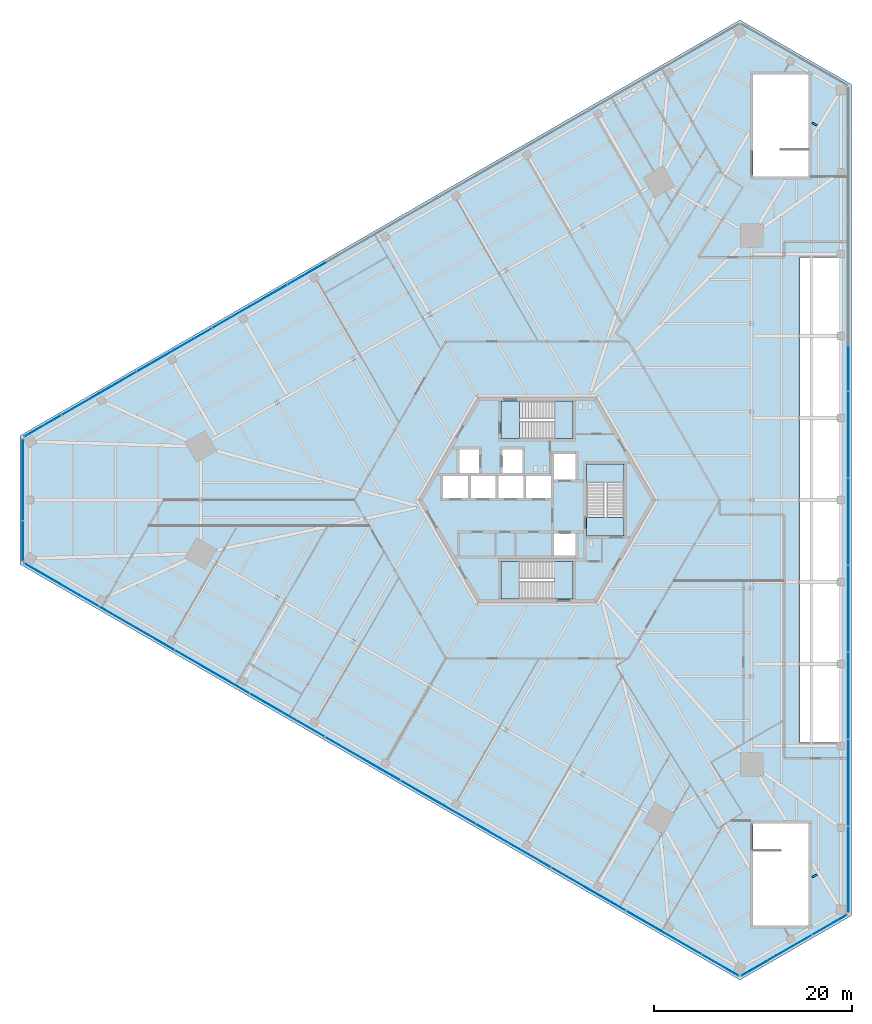
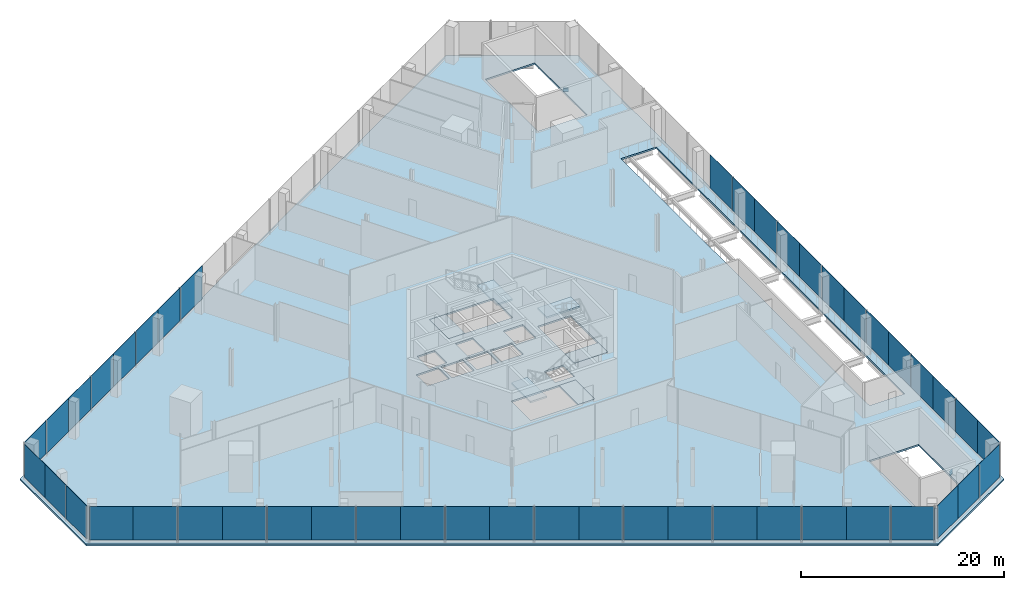
# One storey, part 16 of 25: 46 plates, 7 slabs, 2 beams, 8 elements without a shape of their own.
"""IFC4 building model written with IfcOpenShell, lengths in metres."""

from ifc_helpers import new_model, si_unit, direction, frame, origin, origin_2d, place, context, subcontext, project, spatial, polyline, rectangle, i_section, outline, extrude, source, transform, mapped, material, layer, layer_set, material_profile, profile_set, type_object, element, aggregate, save


model = new_model("IFC4")

# Units and contexts
model_context = context("Model", 3, precision=1e-05, world=origin(), true_north=direction((0.0, 1.0)))
body_context = subcontext(model_context, "Body", "Model", "MODEL_VIEW")
ifc_project = project(units=[si_unit("LENGTHUNIT", "METRE"), si_unit("AREAUNIT", "SQUARE_METRE"), si_unit("VOLUMEUNIT", "CUBIC_METRE"), si_unit("PLANEANGLEUNIT", "RADIAN"), si_unit("MASSUNIT", "GRAM", prefix="KILO")], contexts=[model_context])

# Site, building, storey
site_placement = place(None, origin())
site = spatial("IfcSite", under=ifc_project, at=site_placement, CompositionType="ELEMENT")
building_placement = place(site_placement, origin())
building = spatial("IfcBuilding", under=site, at=building_placement, Name="Triune Harvest Tower", CompositionType="ELEMENT")
storey_placement = place(building_placement, frame((0.0, 0.0, 11.5)))
storey = spatial("IfcBuildingStorey", under=building, at=storey_placement, Name="L02", CompositionType="ELEMENT", Elevation=11.5)

# Beams
ifc_material_1 = material(Name="Steel ASTM A992 Gr 50", Category="steel")
ifc_material_profile = material_profile(ifc_material_1, i_section(OverallWidth=0.180908203125, OverallDepth=0.41650390625, WebThickness=0.010986328125, FlangeThickness=0.01806640625, at=origin_2d()), Name="W16x57")
ifc_profile_set = profile_set([ifc_material_profile], Name="Steel ASTM A992 Gr 50")
beam_type = type_object("IfcBeamType", Name="PD-6 Podium short joist W16x57", PredefinedType="JOIST", material=ifc_profile_set)
shared_shape_1 = source(origin(), body_context, "Body", "SweptSolid", [
    extrude(i_section(OverallWidth=0.180908203125, OverallDepth=0.41650390625, WebThickness=0.010986328125, FlangeThickness=0.01806640625, at=origin_2d()), origin(), (0.0, 0.0, 1.0), 0.55908203125),
])
for number, where, z_axis, x_axis, name in (
    (1, (28.291015625, 37.827880859375, -0.408203125), (-0.866003766563, 0.500037474894, 0.0), (-0.500037474894, -0.866003766563, 0.0), "beam/L02/PJ23"),
    (2, (27.806884765625, -38.107421875, -0.408203125), (0.866003766563, 0.500037474894, 0.0), (-0.500037474894, 0.866003766563, 0.0), "beam/L02/PJ81"),
):
    element("IfcBeam", number, at=place(storey_placement, frame(where, z_axis=z_axis, x_axis=x_axis)), inside=storey, type_object=beam_type, Name=name, PredefinedType="JOIST", context=body_context, shape_type="MappedRepresentation", body=[
        mapped(shared_shape_1, transform((0.0, 0.0, 0.0), scale=1.0)),
    ])

# Slab
ifc_material_2 = material(Name="Concrete 40 MPa", Category="concrete")
ifc_layer_1 = layer(ifc_material_2, 0.199951171875)
ifc_layer_set_1 = layer_set([ifc_layer_1], Name="Concrete 40 MPa")
slab_type_1 = type_object("IfcSlabType", Name="SL-3 Composite floor slab 200", PredefinedType="FLOOR", material=ifc_layer_set_1)
shared_shape_2 = source(origin(), body_context, "Body", "SweptSolid", [
    extrude(outline(polyline([(31.75439453125, -42.0), (31.75439453125, 42.0), (20.495849609375, 48.5), (-52.250244140625, 6.5), (-52.250244140625, -6.5), (20.495849609375, -48.5), (31.75439453125, -42.0)]), holes=[polyline([(-7.0, 0.2099609375), (-7.0, 2.409912109375), (-9.5, 2.409912109375), (-9.5, 0.2099609375), (-7.0, 0.2099609375)]), polyline([(-4.199951171875, 0.2099609375), (-4.199951171875, 2.409912109375), (-6.699951171875, 2.409912109375), (-6.699951171875, 0.2099609375), (-4.199951171875, 0.2099609375)]), polyline([(-1.39990234375, 0.2099609375), (-1.39990234375, 2.409912109375), (-3.89990234375, 2.409912109375), (-3.89990234375, 0.2099609375), (-1.39990234375, 0.2099609375)]), polyline([(1.39990234375, 0.2099609375), (1.39990234375, 2.409912109375), (-1.10009765625, 2.409912109375), (-1.10009765625, 0.2099609375), (1.39990234375, 0.2099609375)]), polyline([(3.89990234375, 2.06005859375), (3.89990234375, 4.659912109375), (1.699951171875, 4.659912109375), (1.699951171875, 2.06005859375), (3.89990234375, 2.06005859375)]), polyline([(3.89990234375, -5.590087890625), (3.89990234375, -3.389892578125), (1.699951171875, -3.389892578125), (1.699951171875, -5.590087890625), (3.89990234375, -5.590087890625)]), polyline([(-5.85009765625, 2.7099609375), (-5.85009765625, 5.110107421875), (-7.85009765625, 5.110107421875), (-7.85009765625, 2.7099609375), (-5.85009765625, 2.7099609375)]), polyline([(-1.5, 2.7099609375), (-1.5, 5.110107421875), (-3.5, 5.110107421875), (-3.5, 2.7099609375), (-1.5, 2.7099609375)]), polyline([(3.64990234375, 6.18994140625), (3.64990234375, 9.989990234375), (-3.64990234375, 9.989990234375), (-3.64990234375, 6.18994140625), (3.64990234375, 6.18994140625)]), polyline([(3.64990234375, -9.989990234375), (3.64990234375, -6.18994140625), (-3.64990234375, -6.18994140625), (-3.64990234375, -9.989990234375), (3.64990234375, -9.989990234375)]), polyline([(8.800048828125, -3.64990234375), (8.800048828125, 3.64990234375), (5.0, 3.64990234375), (5.0, -3.64990234375), (8.800048828125, -3.64990234375)]), polyline([(27.419921875, 32.699951171875), (27.419921875, 43.0), (21.820068359375, 43.0), (21.820068359375, 32.699951171875), (27.419921875, 32.699951171875)]), polyline([(27.419921875, -43.0), (27.419921875, -32.699951171875), (21.820068359375, -32.699951171875), (21.820068359375, -43.0), (27.419921875, -43.0)]), polyline([(26.55419921875, -24.5), (30.55419921875, -24.5), (30.55419921875, 24.5), (26.55419921875, 24.5), (26.55419921875, -24.5)])]), origin(), (0.0, 0.0, 1.0), 0.199951171875),
])
slab_1_placement = place(storey_placement, frame((0.0, 0.0, -0.199951171875)))
element("IfcSlab", 3, at=slab_1_placement, inside=storey, type_object=slab_type_1, Name="slab/L02/1", PredefinedType="FLOOR", context=body_context, shape_type="MappedRepresentation", body=[
    mapped(shared_shape_2, transform((0.0, 0.0, 0.0), scale=1.0)),
])

# Stair, slabs
ifc_material_3 = material(Name="Concrete 40 MPa", Category="concrete")
stair_type = type_object("IfcStairType", Name="Exit stair 1800 half turn", PredefinedType="HALF_TURN_STAIR", material=ifc_material_3)
stair_1_placement = place(storey_placement, origin())
stair_1 = element("IfcStair", 4, at=stair_1_placement, inside=storey, type_object=stair_type, Name="Exit stair north", PredefinedType="HALF_TURN_STAIR")
ifc_material_4 = material(Name="Concrete 40 MPa", Category="concrete")
ifc_layer_2 = layer(ifc_material_4, 0.199951171875)
ifc_layer_set_2 = layer_set([ifc_layer_2], Name="Concrete 40 MPa")
slab_type_2 = type_object("IfcSlabType", Name="Stair landing 200", PredefinedType="LANDING", material=ifc_layer_set_2)
shared_shape_3 = source(origin(), body_context, "Body", "SweptSolid", [
    extrude(outline(polyline([(-3.64990234375, 6.18994140625), (-1.780029296875, 6.18994140625), (-1.780029296875, 9.989990234375), (-3.64990234375, 9.989990234375), (-3.64990234375, 6.18994140625)])), origin(), (0.0, 0.0, 1.0), 0.199951171875),
])
slab_2_placement = place(storey_placement, frame((0.0, 0.0, -0.199951171875)))
slab_2 = element("IfcSlab", 5, at=slab_2_placement, type_object=slab_type_2, Name="ST-1 landing 1", PredefinedType="LANDING", context=body_context, shape_type="MappedRepresentation", body=[
    mapped(shared_shape_3, transform((0.0, 0.0, 0.0), scale=1.0)),
])
shared_shape_4 = source(origin(), body_context, "Body", "SweptSolid", [
    extrude(outline(polyline([(1.81005859375, 6.18994140625), (3.64990234375, 6.18994140625), (3.64990234375, 9.989990234375), (1.81005859375, 9.989990234375), (1.81005859375, 6.18994140625)])), origin(), (0.0, 0.0, 1.0), 0.199951171875),
])
slab_3_placement = place(storey_placement, frame((0.0, 0.0, 2.050048828125)))
slab_3 = element("IfcSlab", 6, at=slab_3_placement, type_object=slab_type_2, Name="ST-1 landing 2", PredefinedType="LANDING", context=body_context, shape_type="MappedRepresentation", body=[
    mapped(shared_shape_4, transform((0.0, 0.0, 0.0), scale=1.0)),
])
aggregate(stair_1, [slab_2, slab_3])

stair_2_placement = place(storey_placement, origin())
stair_2 = element("IfcStair", 7, at=stair_2_placement, inside=storey, type_object=stair_type, Name="Exit stair south", PredefinedType="HALF_TURN_STAIR")
shared_shape_5 = source(origin(), body_context, "Body", "SweptSolid", [
    extrude(outline(polyline([(3.64990234375, -6.18994140625), (1.780029296875, -6.18994140625), (1.780029296875, -9.989990234375), (3.64990234375, -9.989990234375), (3.64990234375, -6.18994140625)])), origin(), (0.0, 0.0, 1.0), 0.199951171875),
])
slab_4_placement = place(storey_placement, frame((0.0, 0.0, -0.199951171875)))
slab_4 = element("IfcSlab", 8, at=slab_4_placement, type_object=slab_type_2, Name="ST-2 landing 1", PredefinedType="LANDING", context=body_context, shape_type="MappedRepresentation", body=[
    mapped(shared_shape_5, transform((0.0, 0.0, 0.0), scale=1.0)),
])
shared_shape_6 = source(origin(), body_context, "Body", "SweptSolid", [
    extrude(outline(polyline([(-1.81005859375, -6.18994140625), (-3.64990234375, -6.18994140625), (-3.64990234375, -9.989990234375), (-1.81005859375, -9.989990234375), (-1.81005859375, -6.18994140625)])), origin(), (0.0, 0.0, 1.0), 0.199951171875),
])
slab_5_placement = place(storey_placement, frame((0.0, 0.0, 2.050048828125)))
slab_5 = element("IfcSlab", 9, at=slab_5_placement, type_object=slab_type_2, Name="ST-2 landing 2", PredefinedType="LANDING", context=body_context, shape_type="MappedRepresentation", body=[
    mapped(shared_shape_6, transform((0.0, 0.0, 0.0), scale=1.0)),
])
aggregate(stair_2, [slab_4, slab_5])

stair_3_placement = place(storey_placement, origin())
stair_3 = element("IfcStair", 10, at=stair_3_placement, inside=storey, type_object=stair_type, Name="Exit stair east", PredefinedType="HALF_TURN_STAIR")
shared_shape_7 = source(origin(), body_context, "Body", "SweptSolid", [
    extrude(outline(polyline([(8.800048828125, -3.64990234375), (8.800048828125, -1.780029296875), (5.0, -1.780029296875), (5.0, -3.64990234375), (8.800048828125, -3.64990234375)])), origin(), (0.0, 0.0, 1.0), 0.199951171875),
])
slab_6_placement = place(storey_placement, frame((0.0, 0.0, -0.199951171875)))
slab_6 = element("IfcSlab", 11, at=slab_6_placement, type_object=slab_type_2, Name="ST-3 landing 1", PredefinedType="LANDING", context=body_context, shape_type="MappedRepresentation", body=[
    mapped(shared_shape_7, transform((0.0, 0.0, 0.0), scale=1.0)),
])
shared_shape_8 = source(origin(), body_context, "Body", "SweptSolid", [
    extrude(outline(polyline([(8.800048828125, 1.81005859375), (8.800048828125, 3.64990234375), (5.0, 3.64990234375), (5.0, 1.81005859375), (8.800048828125, 1.81005859375)])), origin(), (0.0, 0.0, 1.0), 0.199951171875),
])
slab_7_placement = place(storey_placement, frame((0.0, 0.0, 2.050048828125)))
slab_7 = element("IfcSlab", 12, at=slab_7_placement, type_object=slab_type_2, Name="ST-3 landing 2", PredefinedType="LANDING", context=body_context, shape_type="MappedRepresentation", body=[
    mapped(shared_shape_8, transform((0.0, 0.0, 0.0), scale=1.0)),
])
aggregate(stair_3, [slab_6, slab_7])

# Curtain wall, plate
ifc_material_5 = material(Name="Aluminium bronze anodised", Category="aluminium")
curtain_wall_type = type_object("IfcCurtainWallType", Name="CW-2 Podium shopfront wall", PredefinedType="NOTDEFINED", material=ifc_material_5)
curtain_wall_1_placement = place(storey_placement, origin())
curtain_wall_1 = element("IfcCurtainWall", 13, at=curtain_wall_1_placement, inside=storey, type_object=curtain_wall_type, Name="CW-2 PD-F1 L02 run 1")
ifc_material_6 = material(Name="Glass", Category="glass")
ifc_layer_3 = layer(ifc_material_6, 0.0400390625)
ifc_layer_set_3 = layer_set([ifc_layer_3], Name="Glass")
plate_type = type_object("IfcPlateType", Name="GL-2 panel 40", PredefinedType="CURTAIN_PANEL", material=ifc_layer_set_3)
shared_shape_9 = source(origin(), body_context, "Body", "SweptSolid", [
    extrude(rectangle(XDim=4.303466796875, YDim=0.0400390625, at=origin_2d()), origin(), (0.0, 0.0, 1.0), 4.0),
])
plate_1_placement = place(storey_placement, frame((31.454345703125, -39.4951171875, 0.300048828125), z_axis=(0.0, 0.0, 1.0), x_axis=(0.0, 1.0, 0.0)))
plate_1 = element("IfcPlate", 14, at=plate_1_placement, type_object=plate_type, Name="CW-2 panel PD-F1 1.1", PredefinedType="CURTAIN_PANEL", context=body_context, shape_type="MappedRepresentation", body=[
    mapped(shared_shape_9, transform((0.0, 0.0, 0.0), scale=1.0)),
])

curtain_wall_2_placement = place(storey_placement, origin())
curtain_wall_2 = element("IfcCurtainWall", 15, at=curtain_wall_2_placement, inside=storey, type_object=curtain_wall_type, Name="CW-2 PD-F5 L02 run 1")
plate_2_placement = place(storey_placement, frame((-49.930908203125, -7.49267578125, 0.300048828125), z_axis=(0.0, 0.0, 1.0), x_axis=(0.866025276122, -0.500000221117, 0.0)))
plate_2 = element("IfcPlate", 16, at=plate_2_placement, type_object=plate_type, Name="CW-2 panel PD-F5 1.1", PredefinedType="CURTAIN_PANEL", context=body_context, shape_type="MappedRepresentation", body=[
    mapped(shared_shape_9, transform((0.0, 0.0, 0.0), scale=1.0)),
])

# Plate
shared_shape_10 = source(origin(), body_context, "Body", "SweptSolid", [
    extrude(rectangle(XDim=4.348388671875, YDim=0.0400390625, at=origin_2d()), origin(), (0.0, 0.0, 1.0), 4.0),
])
plate_3_placement = place(storey_placement, frame((31.454345703125, -35.169189453125, 0.300048828125), z_axis=(0.0, 0.0, 1.0), x_axis=(0.0, 1.0, 0.0)))
plate_3 = element("IfcPlate", 17, at=plate_3_placement, type_object=plate_type, Name="CW-2 panel PD-F1 1.2", PredefinedType="CURTAIN_PANEL", context=body_context, shape_type="MappedRepresentation", body=[
    mapped(shared_shape_10, transform((0.0, 0.0, 0.0), scale=1.0)),
])

plate_4_placement = place(storey_placement, frame((31.454345703125, -30.73095703125, 0.300048828125), z_axis=(0.0, 0.0, 1.0), x_axis=(0.0, 1.0, 0.0)))
plate_4 = element("IfcPlate", 18, at=plate_4_placement, type_object=plate_type, Name="CW-2 panel PD-F1 1.3", PredefinedType="CURTAIN_PANEL", context=body_context, shape_type="MappedRepresentation", body=[
    mapped(shared_shape_10, transform((0.0, 0.0, 0.0), scale=1.0)),
])

plate_5_placement = place(storey_placement, frame((31.454345703125, -26.382568359375, 0.300048828125), z_axis=(0.0, 0.0, 1.0), x_axis=(0.0, 1.0, 0.0)))
plate_5 = element("IfcPlate", 19, at=plate_5_placement, type_object=plate_type, Name="CW-2 panel PD-F1 1.4", PredefinedType="CURTAIN_PANEL", context=body_context, shape_type="MappedRepresentation", body=[
    mapped(shared_shape_10, transform((0.0, 0.0, 0.0), scale=1.0)),
])

plate_6_placement = place(storey_placement, frame((31.454345703125, -21.9443359375, 0.300048828125), z_axis=(0.0, 0.0, 1.0), x_axis=(0.0, 1.0, 0.0)))
plate_6 = element("IfcPlate", 20, at=plate_6_placement, type_object=plate_type, Name="CW-2 panel PD-F1 1.5", PredefinedType="CURTAIN_PANEL", context=body_context, shape_type="MappedRepresentation", body=[
    mapped(shared_shape_10, transform((0.0, 0.0, 0.0), scale=1.0)),
])

plate_7_placement = place(storey_placement, frame((31.454345703125, -17.595947265625, 0.300048828125), z_axis=(0.0, 0.0, 1.0), x_axis=(0.0, 1.0, 0.0)))
plate_7 = element("IfcPlate", 21, at=plate_7_placement, type_object=plate_type, Name="CW-2 panel PD-F1 1.6", PredefinedType="CURTAIN_PANEL", context=body_context, shape_type="MappedRepresentation", body=[
    mapped(shared_shape_10, transform((0.0, 0.0, 0.0), scale=1.0)),
])

plate_8_placement = place(storey_placement, frame((31.454345703125, -13.157470703125, 0.300048828125), z_axis=(0.0, 0.0, 1.0), x_axis=(0.0, 1.0, 0.0)))
plate_8 = element("IfcPlate", 22, at=plate_8_placement, type_object=plate_type, Name="CW-2 panel PD-F1 1.7", PredefinedType="CURTAIN_PANEL", context=body_context, shape_type="MappedRepresentation", body=[
    mapped(shared_shape_10, transform((0.0, 0.0, 0.0), scale=1.0)),
])

plate_9_placement = place(storey_placement, frame((31.454345703125, -8.80908203125, 0.300048828125), z_axis=(0.0, 0.0, 1.0), x_axis=(0.0, 1.0, 0.0)))
plate_9 = element("IfcPlate", 23, at=plate_9_placement, type_object=plate_type, Name="CW-2 panel PD-F1 1.8", PredefinedType="CURTAIN_PANEL", context=body_context, shape_type="MappedRepresentation", body=[
    mapped(shared_shape_10, transform((0.0, 0.0, 0.0), scale=1.0)),
])

plate_10_placement = place(storey_placement, frame((31.454345703125, -4.370849609375, 0.300048828125), z_axis=(0.0, 0.0, 1.0), x_axis=(0.0, 1.0, 0.0)))
plate_10 = element("IfcPlate", 24, at=plate_10_placement, type_object=plate_type, Name="CW-2 panel PD-F1 1.9", PredefinedType="CURTAIN_PANEL", context=body_context, shape_type="MappedRepresentation", body=[
    mapped(shared_shape_10, transform((0.0, 0.0, 0.0), scale=1.0)),
])

plate_11_placement = place(storey_placement, frame((31.454345703125, -0.0224609375, 0.300048828125), z_axis=(0.0, 0.0, 1.0), x_axis=(0.0, 1.0, 0.0)))
plate_11 = element("IfcPlate", 25, at=plate_11_placement, type_object=plate_type, Name="CW-2 panel PD-F1 1.10", PredefinedType="CURTAIN_PANEL", context=body_context, shape_type="MappedRepresentation", body=[
    mapped(shared_shape_10, transform((0.0, 0.0, 0.0), scale=1.0)),
])

plate_12_placement = place(storey_placement, frame((31.454345703125, 4.415771484375, 0.300048828125), z_axis=(0.0, 0.0, 1.0), x_axis=(0.0, 1.0, 0.0)))
plate_12 = element("IfcPlate", 26, at=plate_12_placement, type_object=plate_type, Name="CW-2 panel PD-F1 1.11", PredefinedType="CURTAIN_PANEL", context=body_context, shape_type="MappedRepresentation", body=[
    mapped(shared_shape_10, transform((0.0, 0.0, 0.0), scale=1.0)),
])

plate_13_placement = place(storey_placement, frame((31.454345703125, 8.76416015625, 0.300048828125), z_axis=(0.0, 0.0, 1.0), x_axis=(0.0, 1.0, 0.0)))
plate_13 = element("IfcPlate", 27, at=plate_13_placement, type_object=plate_type, Name="CW-2 panel PD-F1 1.12", PredefinedType="CURTAIN_PANEL", context=body_context, shape_type="MappedRepresentation", body=[
    mapped(shared_shape_10, transform((0.0, 0.0, 0.0), scale=1.0)),
])

plate_14_placement = place(storey_placement, frame((31.454345703125, 13.20263671875, 0.300048828125), z_axis=(0.0, 0.0, 1.0), x_axis=(0.0, 1.0, 0.0)))
plate_14 = element("IfcPlate", 28, at=plate_14_placement, type_object=plate_type, Name="CW-2 panel PD-F1 1.13", PredefinedType="CURTAIN_PANEL", context=body_context, shape_type="MappedRepresentation", body=[
    mapped(shared_shape_10, transform((0.0, 0.0, 0.0), scale=1.0)),
])

aggregate(curtain_wall_1, [plate_1, plate_3, plate_4, plate_5, plate_6, plate_7, plate_8, plate_9, plate_10, plate_11, plate_12, plate_13, plate_14])

# Curtain wall, plates
curtain_wall_3_placement = place(storey_placement, origin())
curtain_wall_3 = element("IfcCurtainWall", 29, at=curtain_wall_3_placement, inside=storey, type_object=curtain_wall_type, Name="CW-2 PD-F3 L02 run 1")
plate_15_placement = place(storey_placement, frame((-23.317138671875, 22.858154296875, 0.300048828125), z_axis=(0.0, 0.0, 1.0), x_axis=(-0.866025276122, -0.500000221117, 0.0)))
plate_15 = element("IfcPlate", 30, at=plate_15_placement, type_object=plate_type, Name="CW-2 panel PD-F3 1.12", PredefinedType="CURTAIN_PANEL", context=body_context, shape_type="MappedRepresentation", body=[
    mapped(shared_shape_10, transform((0.0, 0.0, 0.0), scale=1.0)),
])
plate_16_placement = place(storey_placement, frame((-27.160888671875, 20.638916015625, 0.300048828125), z_axis=(0.0, 0.0, 1.0), x_axis=(-0.866025276122, -0.500000221117, 0.0)))
plate_16 = element("IfcPlate", 31, at=plate_16_placement, type_object=plate_type, Name="CW-2 panel PD-F3 1.13", PredefinedType="CURTAIN_PANEL", context=body_context, shape_type="MappedRepresentation", body=[
    mapped(shared_shape_10, transform((0.0, 0.0, 0.0), scale=1.0)),
])
plate_17_placement = place(storey_placement, frame((-30.9267578125, 18.46484375, 0.300048828125), z_axis=(0.0, 0.0, 1.0), x_axis=(-0.866025276122, -0.500000221117, 0.0)))
plate_17 = element("IfcPlate", 32, at=plate_17_placement, type_object=plate_type, Name="CW-2 panel PD-F3 1.14", PredefinedType="CURTAIN_PANEL", context=body_context, shape_type="MappedRepresentation", body=[
    mapped(shared_shape_10, transform((0.0, 0.0, 0.0), scale=1.0)),
])
plate_18_placement = place(storey_placement, frame((-34.770263671875, 16.24560546875, 0.300048828125), z_axis=(0.0, 0.0, 1.0), x_axis=(-0.866025276122, -0.500000221117, 0.0)))
plate_18 = element("IfcPlate", 33, at=plate_18_placement, type_object=plate_type, Name="CW-2 panel PD-F3 1.15", PredefinedType="CURTAIN_PANEL", context=body_context, shape_type="MappedRepresentation", body=[
    mapped(shared_shape_10, transform((0.0, 0.0, 0.0), scale=1.0)),
])
plate_19_placement = place(storey_placement, frame((-38.5361328125, 14.0712890625, 0.300048828125), z_axis=(0.0, 0.0, 1.0), x_axis=(-0.866025276122, -0.500000221117, 0.0)))
plate_19 = element("IfcPlate", 34, at=plate_19_placement, type_object=plate_type, Name="CW-2 panel PD-F3 1.16", PredefinedType="CURTAIN_PANEL", context=body_context, shape_type="MappedRepresentation", body=[
    mapped(shared_shape_10, transform((0.0, 0.0, 0.0), scale=1.0)),
])
plate_20_placement = place(storey_placement, frame((-42.3798828125, 11.852294921875, 0.300048828125), z_axis=(0.0, 0.0, 1.0), x_axis=(-0.866025276122, -0.500000221117, 0.0)))
plate_20 = element("IfcPlate", 35, at=plate_20_placement, type_object=plate_type, Name="CW-2 panel PD-F3 1.17", PredefinedType="CURTAIN_PANEL", context=body_context, shape_type="MappedRepresentation", body=[
    mapped(shared_shape_10, transform((0.0, 0.0, 0.0), scale=1.0)),
])
plate_21_placement = place(storey_placement, frame((-46.145751953125, 9.677978515625, 0.300048828125), z_axis=(0.0, 0.0, 1.0), x_axis=(-0.866025276122, -0.500000221117, 0.0)))
plate_21 = element("IfcPlate", 36, at=plate_21_placement, type_object=plate_type, Name="CW-2 panel PD-F3 1.18", PredefinedType="CURTAIN_PANEL", context=body_context, shape_type="MappedRepresentation", body=[
    mapped(shared_shape_10, transform((0.0, 0.0, 0.0), scale=1.0)),
])

# Plate
plate_22_placement = place(storey_placement, frame((-46.1845703125, -9.655517578125, 0.300048828125), z_axis=(0.0, 0.0, 1.0), x_axis=(0.866025276122, -0.500000221117, 0.0)))
plate_22 = element("IfcPlate", 37, at=plate_22_placement, type_object=plate_type, Name="CW-2 panel PD-F5 1.2", PredefinedType="CURTAIN_PANEL", context=body_context, shape_type="MappedRepresentation", body=[
    mapped(shared_shape_10, transform((0.0, 0.0, 0.0), scale=1.0)),
])

plate_23_placement = place(storey_placement, frame((-42.3408203125, -11.874755859375, 0.300048828125), z_axis=(0.0, 0.0, 1.0), x_axis=(0.866025276122, -0.500000221117, 0.0)))
plate_23 = element("IfcPlate", 38, at=plate_23_placement, type_object=plate_type, Name="CW-2 panel PD-F5 1.3", PredefinedType="CURTAIN_PANEL", context=body_context, shape_type="MappedRepresentation", body=[
    mapped(shared_shape_10, transform((0.0, 0.0, 0.0), scale=1.0)),
])

plate_24_placement = place(storey_placement, frame((-38.5751953125, -14.048828125, 0.300048828125), z_axis=(0.0, 0.0, 1.0), x_axis=(0.866025276122, -0.500000221117, 0.0)))
plate_24 = element("IfcPlate", 39, at=plate_24_placement, type_object=plate_type, Name="CW-2 panel PD-F5 1.4", PredefinedType="CURTAIN_PANEL", context=body_context, shape_type="MappedRepresentation", body=[
    mapped(shared_shape_10, transform((0.0, 0.0, 0.0), scale=1.0)),
])

plate_25_placement = place(storey_placement, frame((-34.7314453125, -16.26806640625, 0.300048828125), z_axis=(0.0, 0.0, 1.0), x_axis=(0.866025276122, -0.500000221117, 0.0)))
plate_25 = element("IfcPlate", 40, at=plate_25_placement, type_object=plate_type, Name="CW-2 panel PD-F5 1.5", PredefinedType="CURTAIN_PANEL", context=body_context, shape_type="MappedRepresentation", body=[
    mapped(shared_shape_10, transform((0.0, 0.0, 0.0), scale=1.0)),
])

plate_26_placement = place(storey_placement, frame((-30.965576171875, -18.442138671875, 0.300048828125), z_axis=(0.0, 0.0, 1.0), x_axis=(0.866025276122, -0.500000221117, 0.0)))
plate_26 = element("IfcPlate", 41, at=plate_26_placement, type_object=plate_type, Name="CW-2 panel PD-F5 1.6", PredefinedType="CURTAIN_PANEL", context=body_context, shape_type="MappedRepresentation", body=[
    mapped(shared_shape_10, transform((0.0, 0.0, 0.0), scale=1.0)),
])

plate_27_placement = place(storey_placement, frame((-27.121826171875, -20.661376953125, 0.300048828125), z_axis=(0.0, 0.0, 1.0), x_axis=(0.866025276122, -0.500000221117, 0.0)))
plate_27 = element("IfcPlate", 42, at=plate_27_placement, type_object=plate_type, Name="CW-2 panel PD-F5 1.7", PredefinedType="CURTAIN_PANEL", context=body_context, shape_type="MappedRepresentation", body=[
    mapped(shared_shape_10, transform((0.0, 0.0, 0.0), scale=1.0)),
])

plate_28_placement = place(storey_placement, frame((-23.356201171875, -22.835693359375, 0.300048828125), z_axis=(0.0, 0.0, 1.0), x_axis=(0.866025276122, -0.500000221117, 0.0)))
plate_28 = element("IfcPlate", 43, at=plate_28_placement, type_object=plate_type, Name="CW-2 panel PD-F5 1.8", PredefinedType="CURTAIN_PANEL", context=body_context, shape_type="MappedRepresentation", body=[
    mapped(shared_shape_10, transform((0.0, 0.0, 0.0), scale=1.0)),
])

plate_29_placement = place(storey_placement, frame((-19.512451171875, -25.0546875, 0.300048828125), z_axis=(0.0, 0.0, 1.0), x_axis=(0.866025276122, -0.500000221117, 0.0)))
plate_29 = element("IfcPlate", 44, at=plate_29_placement, type_object=plate_type, Name="CW-2 panel PD-F5 1.9", PredefinedType="CURTAIN_PANEL", context=body_context, shape_type="MappedRepresentation", body=[
    mapped(shared_shape_10, transform((0.0, 0.0, 0.0), scale=1.0)),
])

plate_30_placement = place(storey_placement, frame((-15.74658203125, -27.22900390625, 0.300048828125), z_axis=(0.0, 0.0, 1.0), x_axis=(0.866025276122, -0.500000221117, 0.0)))
plate_30 = element("IfcPlate", 45, at=plate_30_placement, type_object=plate_type, Name="CW-2 panel PD-F5 1.10", PredefinedType="CURTAIN_PANEL", context=body_context, shape_type="MappedRepresentation", body=[
    mapped(shared_shape_10, transform((0.0, 0.0, 0.0), scale=1.0)),
])

plate_31_placement = place(storey_placement, frame((-11.90283203125, -29.4482421875, 0.300048828125), z_axis=(0.0, 0.0, 1.0), x_axis=(0.866025276122, -0.500000221117, 0.0)))
plate_31 = element("IfcPlate", 46, at=plate_31_placement, type_object=plate_type, Name="CW-2 panel PD-F5 1.11", PredefinedType="CURTAIN_PANEL", context=body_context, shape_type="MappedRepresentation", body=[
    mapped(shared_shape_10, transform((0.0, 0.0, 0.0), scale=1.0)),
])

plate_32_placement = place(storey_placement, frame((-8.13720703125, -31.622314453125, 0.300048828125), z_axis=(0.0, 0.0, 1.0), x_axis=(0.866025276122, -0.500000221117, 0.0)))
plate_32 = element("IfcPlate", 47, at=plate_32_placement, type_object=plate_type, Name="CW-2 panel PD-F5 1.12", PredefinedType="CURTAIN_PANEL", context=body_context, shape_type="MappedRepresentation", body=[
    mapped(shared_shape_10, transform((0.0, 0.0, 0.0), scale=1.0)),
])

plate_33_placement = place(storey_placement, frame((-4.29345703125, -33.841552734375, 0.300048828125), z_axis=(0.0, 0.0, 1.0), x_axis=(0.866025276122, -0.500000221117, 0.0)))
plate_33 = element("IfcPlate", 48, at=plate_33_placement, type_object=plate_type, Name="CW-2 panel PD-F5 1.13", PredefinedType="CURTAIN_PANEL", context=body_context, shape_type="MappedRepresentation", body=[
    mapped(shared_shape_10, transform((0.0, 0.0, 0.0), scale=1.0)),
])

plate_34_placement = place(storey_placement, frame((-0.527587890625, -36.015625, 0.300048828125), z_axis=(0.0, 0.0, 1.0), x_axis=(0.866025276122, -0.500000221117, 0.0)))
plate_34 = element("IfcPlate", 49, at=plate_34_placement, type_object=plate_type, Name="CW-2 panel PD-F5 1.14", PredefinedType="CURTAIN_PANEL", context=body_context, shape_type="MappedRepresentation", body=[
    mapped(shared_shape_10, transform((0.0, 0.0, 0.0), scale=1.0)),
])

plate_35_placement = place(storey_placement, frame((3.316162109375, -38.23486328125, 0.300048828125), z_axis=(0.0, 0.0, 1.0), x_axis=(0.866025276122, -0.500000221117, 0.0)))
plate_35 = element("IfcPlate", 50, at=plate_35_placement, type_object=plate_type, Name="CW-2 panel PD-F5 1.15", PredefinedType="CURTAIN_PANEL", context=body_context, shape_type="MappedRepresentation", body=[
    mapped(shared_shape_10, transform((0.0, 0.0, 0.0), scale=1.0)),
])

plate_36_placement = place(storey_placement, frame((7.081787109375, -40.408935546875, 0.300048828125), z_axis=(0.0, 0.0, 1.0), x_axis=(0.866025276122, -0.500000221117, 0.0)))
plate_36 = element("IfcPlate", 51, at=plate_36_placement, type_object=plate_type, Name="CW-2 panel PD-F5 1.16", PredefinedType="CURTAIN_PANEL", context=body_context, shape_type="MappedRepresentation", body=[
    mapped(shared_shape_10, transform((0.0, 0.0, 0.0), scale=1.0)),
])

plate_37_placement = place(storey_placement, frame((10.925537109375, -42.628173828125, 0.300048828125), z_axis=(0.0, 0.0, 1.0), x_axis=(0.866025276122, -0.500000221117, 0.0)))
plate_37 = element("IfcPlate", 52, at=plate_37_placement, type_object=plate_type, Name="CW-2 panel PD-F5 1.17", PredefinedType="CURTAIN_PANEL", context=body_context, shape_type="MappedRepresentation", body=[
    mapped(shared_shape_10, transform((0.0, 0.0, 0.0), scale=1.0)),
])

plate_38_placement = place(storey_placement, frame((14.69140625, -44.80224609375, 0.300048828125), z_axis=(0.0, 0.0, 1.0), x_axis=(0.866025276122, -0.500000221117, 0.0)))
plate_38 = element("IfcPlate", 53, at=plate_38_placement, type_object=plate_type, Name="CW-2 panel PD-F5 1.18", PredefinedType="CURTAIN_PANEL", context=body_context, shape_type="MappedRepresentation", body=[
    mapped(shared_shape_10, transform((0.0, 0.0, 0.0), scale=1.0)),
])

shared_shape_11 = source(origin(), body_context, "Body", "SweptSolid", [
    extrude(rectangle(XDim=4.25830078125, YDim=0.0400390625, at=origin_2d()), origin(), (0.0, 0.0, 1.0), 4.0),
])
plate_39_placement = place(storey_placement, frame((-49.950439453125, 7.4814453125, 0.300048828125), z_axis=(0.0, 0.0, 1.0), x_axis=(-0.866025276122, -0.500000221117, 0.0)))
plate_39 = element("IfcPlate", 54, at=plate_39_placement, type_object=plate_type, Name="CW-2 panel PD-F3 1.19", PredefinedType="CURTAIN_PANEL", context=body_context, shape_type="MappedRepresentation", body=[
    mapped(shared_shape_11, transform((0.0, 0.0, 0.0), scale=1.0)),
])

aggregate(curtain_wall_3, [plate_15, plate_16, plate_17, plate_18, plate_19, plate_20, plate_21, plate_39])

plate_40_placement = place(storey_placement, frame((18.49609375, -46.9990234375, 0.300048828125), z_axis=(0.0, 0.0, 1.0), x_axis=(0.866025276122, -0.500000221117, 0.0)))
plate_40 = element("IfcPlate", 55, at=plate_40_placement, type_object=plate_type, Name="CW-2 panel PD-F5 1.19", PredefinedType="CURTAIN_PANEL", context=body_context, shape_type="MappedRepresentation", body=[
    mapped(shared_shape_11, transform((0.0, 0.0, 0.0), scale=1.0)),
])

aggregate(curtain_wall_2, [plate_2, plate_22, plate_23, plate_24, plate_25, plate_26, plate_27, plate_28, plate_29, plate_30, plate_31, plate_32, plate_33, plate_34, plate_35, plate_36, plate_37, plate_38, plate_40])

# Curtain wall, plate
curtain_wall_4_placement = place(storey_placement, origin())
curtain_wall_4 = element("IfcCurtainWall", 56, at=curtain_wall_4_placement, inside=storey, type_object=curtain_wall_type, Name="CW-2 PD-F4 L02 run 1")
shared_shape_12 = source(origin(), body_context, "Body", "SweptSolid", [
    extrude(rectangle(XDim=4.06787109375, YDim=0.0400390625, at=origin_2d()), origin(), (0.0, 0.0, 1.0), 4.0),
])
plate_41_placement = place(storey_placement, frame((-51.9501953125, 4.11279296875, 0.300048828125), z_axis=(0.0, 0.0, 1.0), x_axis=(0.0, -1.0, 0.0)))
plate_41 = element("IfcPlate", 57, at=plate_41_placement, type_object=plate_type, Name="CW-2 panel PD-F4 1.1", PredefinedType="CURTAIN_PANEL", context=body_context, shape_type="MappedRepresentation", body=[
    mapped(shared_shape_12, transform((0.0, 0.0, 0.0), scale=1.0)),
])

curtain_wall_5_placement = place(storey_placement, origin())
curtain_wall_5 = element("IfcCurtainWall", 58, at=curtain_wall_5_placement, inside=storey, type_object=curtain_wall_type, Name="CW-2 PD-F6 L02 run 1")
plate_42_placement = place(storey_placement, frame((22.413330078125, -47.046630859375, 0.300048828125), z_axis=(0.0, 0.0, 1.0), x_axis=(0.866026607989, 0.49999791425, 0.0)))
plate_42 = element("IfcPlate", 59, at=plate_42_placement, type_object=plate_type, Name="CW-2 panel PD-F6 1.1", PredefinedType="CURTAIN_PANEL", context=body_context, shape_type="MappedRepresentation", body=[
    mapped(shared_shape_12, transform((0.0, 0.0, 0.0), scale=1.0)),
])

# Plate
shared_shape_13 = source(origin(), body_context, "Body", "SweptSolid", [
    extrude(rectangle(XDim=4.11279296875, YDim=0.0400390625, at=origin_2d()), origin(), (0.0, 0.0, 1.0), 4.0),
])
plate_43_placement = place(storey_placement, frame((-51.9501953125, 0.0224609375, 0.300048828125), z_axis=(0.0, 0.0, 1.0), x_axis=(0.0, -1.0, 0.0)))
plate_43 = element("IfcPlate", 60, at=plate_43_placement, type_object=plate_type, Name="CW-2 panel PD-F4 1.2", PredefinedType="CURTAIN_PANEL", context=body_context, shape_type="MappedRepresentation", body=[
    mapped(shared_shape_13, transform((0.0, 0.0, 0.0), scale=1.0)),
])

plate_44_placement = place(storey_placement, frame((25.95556640625, -45.00146484375, 0.300048828125), z_axis=(0.0, 0.0, 1.0), x_axis=(0.866026607989, 0.49999791425, 0.0)))
plate_44 = element("IfcPlate", 61, at=plate_44_placement, type_object=plate_type, Name="CW-2 panel PD-F6 1.2", PredefinedType="CURTAIN_PANEL", context=body_context, shape_type="MappedRepresentation", body=[
    mapped(shared_shape_13, transform((0.0, 0.0, 0.0), scale=1.0)),
])

shared_shape_14 = source(origin(), body_context, "Body", "SweptSolid", [
    extrude(rectangle(XDim=4.02294921875, YDim=0.0400390625, at=origin_2d()), origin(), (0.0, 0.0, 1.0), 4.0),
])
plate_45_placement = place(storey_placement, frame((-51.9501953125, -4.13525390625, 0.300048828125), z_axis=(0.0, 0.0, 1.0), x_axis=(0.0, -1.0, 0.0)))
plate_45 = element("IfcPlate", 62, at=plate_45_placement, type_object=plate_type, Name="CW-2 panel PD-F4 1.3", PredefinedType="CURTAIN_PANEL", context=body_context, shape_type="MappedRepresentation", body=[
    mapped(shared_shape_14, transform((0.0, 0.0, 0.0), scale=1.0)),
])

aggregate(curtain_wall_4, [plate_41, plate_43, plate_45])

plate_46_placement = place(storey_placement, frame((29.556396484375, -42.922607421875, 0.300048828125), z_axis=(0.0, 0.0, 1.0), x_axis=(0.866026607989, 0.49999791425, 0.0)))
plate_46 = element("IfcPlate", 63, at=plate_46_placement, type_object=plate_type, Name="CW-2 panel PD-F6 1.3", PredefinedType="CURTAIN_PANEL", context=body_context, shape_type="MappedRepresentation", body=[
    mapped(shared_shape_14, transform((0.0, 0.0, 0.0), scale=1.0)),
])

aggregate(curtain_wall_5, [plate_42, plate_44, plate_46])

save(model, "model.ifc")
